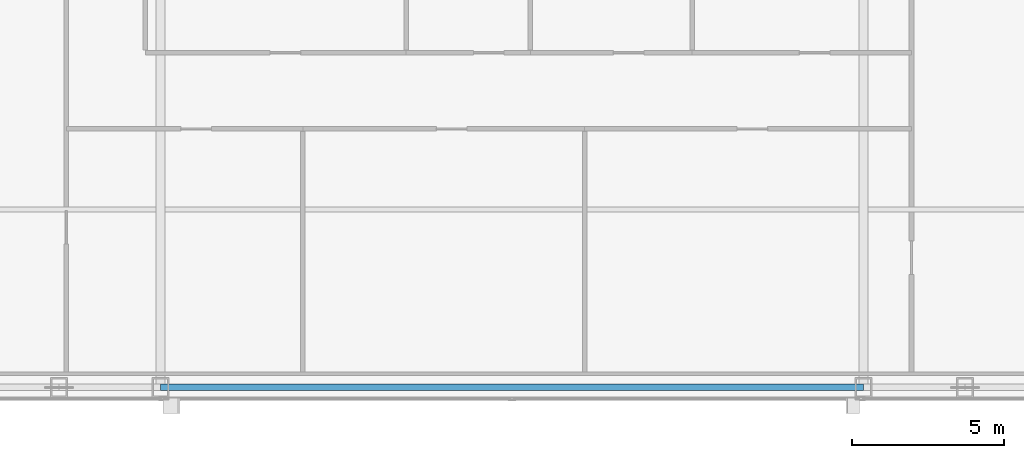
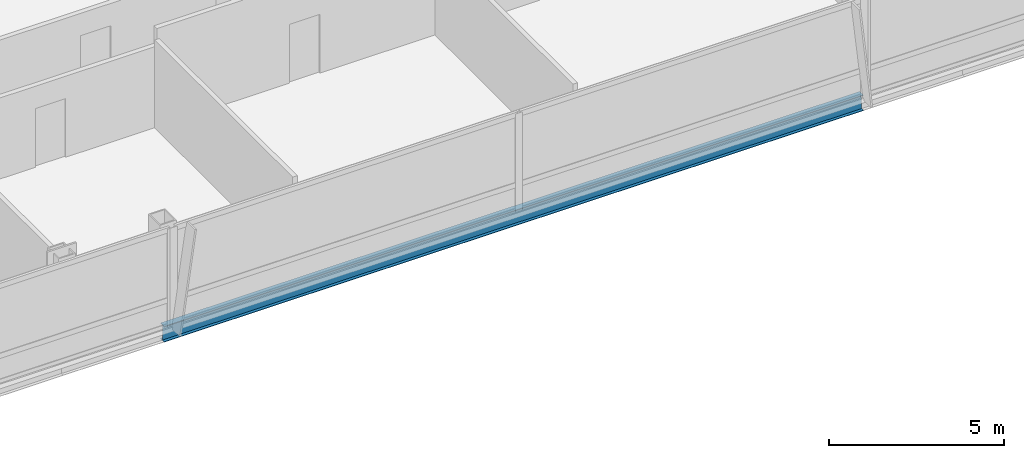
# One storey, part 8 of 29: 1 beam.
"""IFC4 building model written with IfcOpenShell, lengths in metres."""

from ifc_helpers import new_model, si_unit, direction, frame, origin, origin_2d, place, context, subcontext, project, spatial, i_section, extrude, material, material_profile, profile_set, type_object, element, save


model = new_model("IFC4")

# Units and contexts
model_context = context("Model", 3, precision=1e-05, world=origin(), true_north=direction((0.0, 1.0)))
body_context = subcontext(model_context, "Body", "Model", "MODEL_VIEW")
ifc_project = project(units=[si_unit("LENGTHUNIT", "METRE"), si_unit("AREAUNIT", "SQUARE_METRE"), si_unit("VOLUMEUNIT", "CUBIC_METRE"), si_unit("PLANEANGLEUNIT", "RADIAN"), si_unit("MASSUNIT", "GRAM", prefix="KILO")], contexts=[model_context])

# Site, building, storey
site_placement = place(None, origin())
site = spatial("IfcSite", under=ifc_project, at=site_placement, CompositionType="ELEMENT")
building_placement = place(site_placement, origin())
building = spatial("IfcBuilding", under=site, at=building_placement, Name="Khoronbel Lancet Exchange", CompositionType="ELEMENT")
storey_placement = place(building_placement, frame((0.0, 0.0, 321.800048828125)))
storey = spatial("IfcBuildingStorey", under=building, at=storey_placement, Name="L83", CompositionType="ELEMENT", Elevation=321.800048828125)

# Beam
ifc_material = material(Name="Steel S355", Category="steel")
ifc_material_profile = material_profile(ifc_material, i_section(OverallWidth=0.2099609375, OverallDepth=0.550048828125, WebThickness=0.010986328125, FlangeThickness=0.01708984375, at=origin_2d()), Name="IPE 550")
ifc_profile_set = profile_set([ifc_material_profile], Name="Steel S355")
beam_type = type_object("IfcBeamType", Name="BM-BSP3", PredefinedType="SPANDREL", material=ifc_profile_set)
beam_placement = place(storey_placement, frame((24.89990234375, 10.14990234375, -0.43505859375), z_axis=(1.0, 0.0, 0.0), x_axis=(0.0, 1.0, 0.0)))
element("IfcBeam", 1, at=beam_placement, inside=storey, type_object=beam_type, Name="Level L83 perimeter spandrel beam SP04", PredefinedType="SPANDREL", context=body_context, shape_type="SweptSolid", body=[
    extrude(i_section(OverallWidth=0.2099609375, OverallDepth=0.550048828125, WebThickness=0.010986328125, FlangeThickness=0.01708984375, at=origin_2d()), origin(), (0.0, 0.0, 1.0), 23.10009765625),
])

save(model, "model.ifc")
